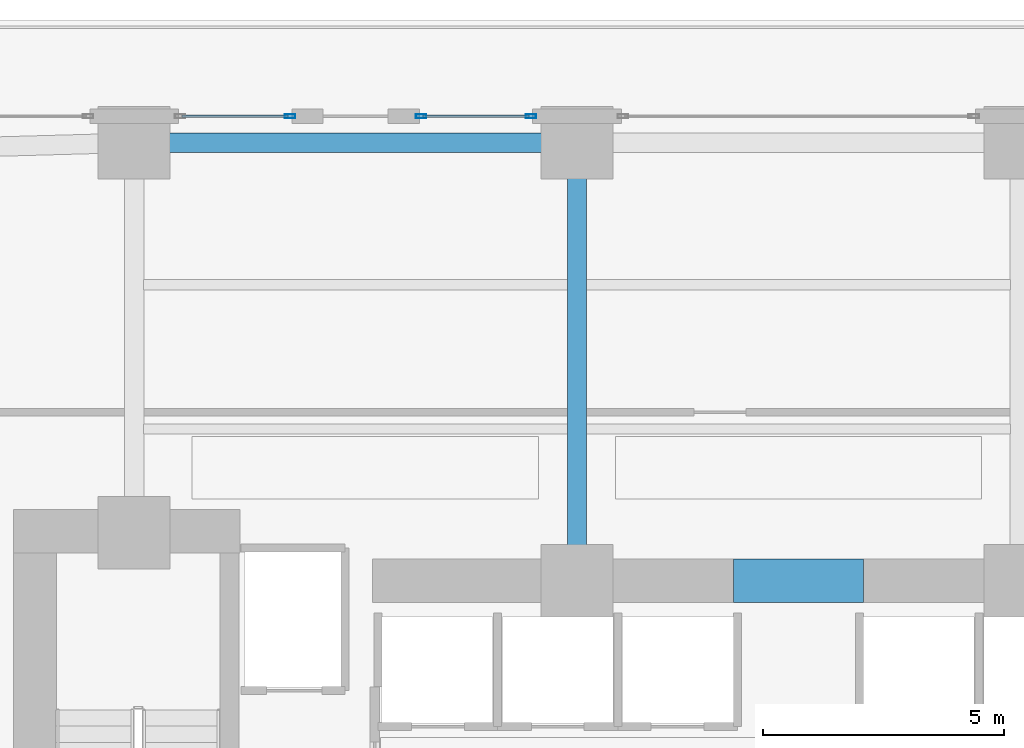
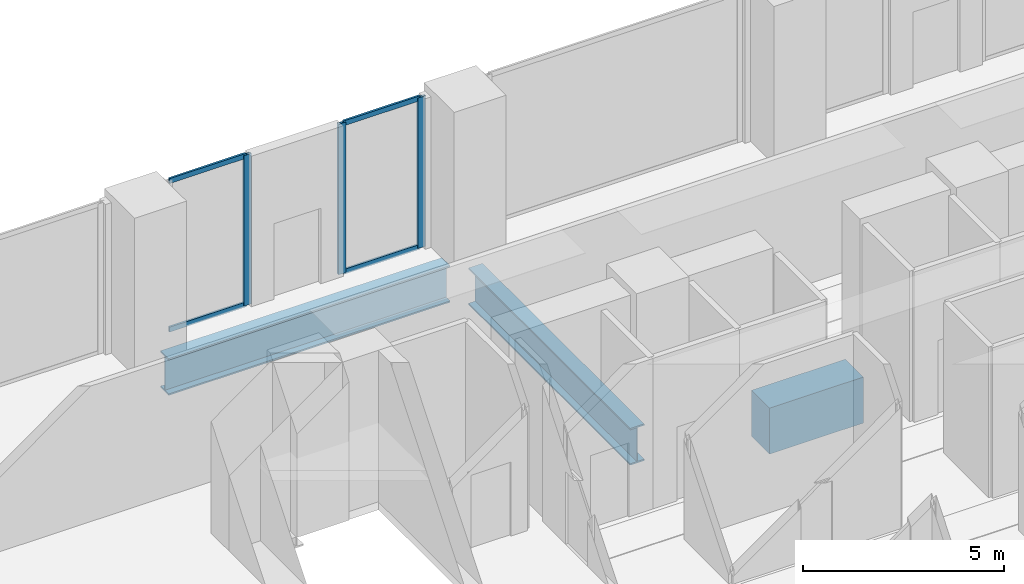
# One storey, part 14 of 28: 7 members, 3 beams, 2 elements without a shape of their own.
"""IFC4 building model written with IfcOpenShell, lengths in metres."""

from ifc_helpers import new_model, si_unit, direction, frame, origin, origin_2d, place, context, subcontext, project, spatial, rectangle, hollow_rectangle, i_section, extrude, material, layer, layer_set, material_profile, profile_set, type_object, element, aggregate, save


model = new_model("IFC4")

# Units and contexts
model_context = context("Model", 3, precision=1e-05, world=origin(), true_north=direction((0.0, 1.0)))
body_context = subcontext(model_context, "Body", "Model", "MODEL_VIEW")
ifc_project = project(units=[si_unit("LENGTHUNIT", "METRE"), si_unit("AREAUNIT", "SQUARE_METRE"), si_unit("VOLUMEUNIT", "CUBIC_METRE"), si_unit("PLANEANGLEUNIT", "RADIAN"), si_unit("MASSUNIT", "GRAM", prefix="KILO")], contexts=[model_context])

# Site, building, storey
site_placement = place(None, origin())
site = spatial("IfcSite", under=ifc_project, at=site_placement, CompositionType="ELEMENT")
building_placement = place(site_placement, origin())
building = spatial("IfcBuilding", under=site, at=building_placement, Name="Zuhayl Quay Hotel", CompositionType="ELEMENT")
storey_placement = place(building_placement, frame((0.0, 0.0, 22.800048828125)))
storey = spatial("IfcBuildingStorey", under=building, at=storey_placement, Name="L04", CompositionType="ELEMENT", Elevation=22.800048828125)

# Beams
ifc_material_1 = material(Name="Concrete C60/75", Category="concrete")
ifc_material_profile_1 = material_profile(ifc_material_1, rectangle(XDim=0.89990234375, YDim=1.39990234375, at=origin_2d()), Name="RC900X1400")
ifc_profile_set_1 = profile_set([ifc_material_profile_1], Name="Concrete C60/75")
beam_type_1 = type_object("IfcBeamType", Name="BM_CB1_RC900", PredefinedType="T_BEAM", material=ifc_profile_set_1)
beam_1_placement = place(storey_placement, frame((-1.35009765625, 13.35009765625, -0.9599609375), z_axis=(1.0, 0.0, 0.0), x_axis=(0.0, 1.0, 0.0)))
element("IfcBeam", 1, at=beam_1_placement, inside=storey, type_object=beam_type_1, Name="L04 Core Coupling Beam North", PredefinedType="T_BEAM", context=body_context, shape_type="SweptSolid", body=[
    extrude(rectangle(XDim=0.89990234375, YDim=1.39990234375, at=origin_2d()), origin(), (0.0, 0.0, 1.0), 2.7001953125),
])
ifc_material_2 = material(Name="Steel ASTM A913 Grade 65", Category="steel")
ifc_material_profile_2 = material_profile(ifc_material_2, i_section(OverallWidth=0.404052734375, OverallDepth=1.117919921875, WebThickness=0.026123046875, FlangeThickness=0.044921875, at=origin_2d()), Name="W44X335")
ifc_profile_set_2 = profile_set([ifc_material_profile_2], Name="Steel ASTM A913 Grade 65")
beam_type_2 = type_object("IfcBeamType", Name="BM_TG1_W44X335", PredefinedType="BEAM", material=ifc_profile_set_2)
beam_2_placement = place(storey_placement, frame((-13.25, 22.449951171875, -0.819091796875), z_axis=(1.0, 0.0, 0.0), x_axis=(0.0, 1.0, 0.0)))
element("IfcBeam", 2, at=beam_2_placement, inside=storey, type_object=beam_type_2, Name="L04 Floor Beam PG_N_L04_2", PredefinedType="BEAM", context=body_context, shape_type="SweptSolid", body=[
    extrude(i_section(OverallWidth=0.404052734375, OverallDepth=1.117919921875, WebThickness=0.026123046875, FlangeThickness=0.044921875, at=origin_2d()), origin(), (0.0, 0.0, 1.0), 8.10009765625),
])
beam_3_placement = place(storey_placement, frame((-4.60009765625, 13.8701171875, -0.819091796875), z_axis=(0.0, 1.0, 0.0), x_axis=(-1.0, 0.0, 0.0)))
element("IfcBeam", 3, at=beam_3_placement, inside=storey, type_object=beam_type_2, Name="L04 Floor Beam PG_NS3_L04_2", PredefinedType="BEAM", context=body_context, shape_type="SweptSolid", body=[
    extrude(i_section(OverallWidth=0.404052734375, OverallDepth=1.117919921875, WebThickness=0.026123046875, FlangeThickness=0.044921875, at=origin_2d()), origin(), (0.0, 0.0, 1.0), 8.059814453125),
])

# Curtain wall, member
ifc_material_3 = material(Name="Anodised Aluminium 6063-T6", Category="aluminium")
ifc_layer = layer(ifc_material_3, 0.199951171875, Name="Anodised Aluminium 6063-T6", Category="aluminium")
ifc_layer_set = layer_set([ifc_layer], Name="Anodised Aluminium 6063-T6")
curtain_wall_type = type_object("IfcCurtainWallType", Name="CW_SYS_POD", PredefinedType="USERDEFINED", material=ifc_layer_set)
curtain_wall_1_placement = place(storey_placement, origin())
curtain_wall_1 = element("IfcCurtainWall", 4, at=curtain_wall_1_placement, inside=storey, type_object=curtain_wall_type, Name="L04 Curtain Wall ENV_L04_E05_CW3", ObjectType="UNITISED CURTAIN WALL", PredefinedType="USERDEFINED")
ifc_material_4 = material(Name="Black-anodised aluminium 6063-T6", Category="aluminium")
ifc_material_profile_3 = material_profile(ifc_material_4, hollow_rectangle(XDim=0.074951171875, YDim=0.219970703125, WallThickness=0.00390625, at=origin_2d()), Name="ALU220X75")
ifc_profile_set_3 = profile_set([ifc_material_profile_3], Name="Black-anodised aluminium 6063-T6")
member_type_1 = type_object("IfcMemberType", Name="MB_CW_MUL_220", PredefinedType="MULLION", material=ifc_profile_set_3)
member_1_placement = place(storey_placement, frame((-10.5625, 23.0, 0.0), z_axis=(0.0, 0.0, 1.0), x_axis=(0.0, 1.0, 0.0)))
member_1 = element("IfcMember", 5, at=member_1_placement, type_object=member_type_1, Name="CW-POD mullion 2", PredefinedType="MULLION", context=body_context, shape_type="SweptSolid", body=[
    extrude(hollow_rectangle(XDim=0.074951171875, YDim=0.219970703125, WallThickness=0.00390625, at=origin_2d()), origin(), (0.0, 0.0, 1.0), 4.579833984375),
])

# Curtain wall, members
curtain_wall_2_placement = place(storey_placement, origin())
curtain_wall_2 = element("IfcCurtainWall", 6, at=curtain_wall_2_placement, inside=storey, type_object=curtain_wall_type, Name="L04 Curtain Wall ENV_L04_E05_CW4", ObjectType="UNITISED CURTAIN WALL", PredefinedType="USERDEFINED")
member_2_placement = place(storey_placement, frame((-7.83740234375, 23.0, 0.0), z_axis=(0.0, 0.0, 1.0), x_axis=(0.0, 1.0, 0.0)))
member_2 = element("IfcMember", 7, at=member_2_placement, type_object=member_type_1, Name="CW-POD mullion 1", PredefinedType="MULLION", context=body_context, shape_type="SweptSolid", body=[
    extrude(hollow_rectangle(XDim=0.074951171875, YDim=0.219970703125, WallThickness=0.00390625, at=origin_2d()), origin(), (0.0, 0.0, 1.0), 4.579833984375),
])
member_3_placement = place(storey_placement, frame((-5.5576171875, 23.0, 0.0), z_axis=(0.0, 0.0, 1.0), x_axis=(0.0, 1.0, 0.0)))
member_3 = element("IfcMember", 8, at=member_3_placement, type_object=member_type_1, Name="CW-POD mullion 2", PredefinedType="MULLION", context=body_context, shape_type="SweptSolid", body=[
    extrude(hollow_rectangle(XDim=0.074951171875, YDim=0.219970703125, WallThickness=0.00390625, at=origin_2d()), origin(), (0.0, 0.0, 1.0), 4.579833984375),
])

# Member
ifc_material_profile_4 = material_profile(ifc_material_4, hollow_rectangle(XDim=0.06005859375, YDim=0.14990234375, WallThickness=0.00341796875, at=origin_2d()), Name="ALU150X60")
ifc_profile_set_4 = profile_set([ifc_material_profile_4], Name="Black-anodised aluminium 6063-T6")
member_type_2 = type_object("IfcMemberType", Name="MB_CW_TRN_150", PredefinedType="USERDEFINED", material=ifc_profile_set_4)
member_4_placement = place(storey_placement, frame((-12.804931640625, 23.0, 0.030029296875), z_axis=(1.0, 0.0, 0.0), x_axis=(0.0, 1.0, 0.0)))
member_4 = element("IfcMember", 9, at=member_4_placement, type_object=member_type_2, Name="CW-POD transom 1.1", ObjectType="TRANSOM", PredefinedType="USERDEFINED", context=body_context, shape_type="SweptSolid", body=[
    extrude(hollow_rectangle(XDim=0.06005859375, YDim=0.14990234375, WallThickness=0.00341796875, at=origin_2d()), origin(), (0.0, 0.0, 1.0), 2.204833984375),
])

member_5_placement = place(storey_placement, frame((-12.804931640625, 23.0, 4.550048828125), z_axis=(1.0, 0.0, 0.0), x_axis=(0.0, 1.0, 0.0)))
member_5 = element("IfcMember", 10, at=member_5_placement, type_object=member_type_2, Name="CW-POD transom 1.2", ObjectType="TRANSOM", PredefinedType="USERDEFINED", context=body_context, shape_type="SweptSolid", body=[
    extrude(hollow_rectangle(XDim=0.06005859375, YDim=0.14990234375, WallThickness=0.00341796875, at=origin_2d()), origin(), (0.0, 0.0, 1.0), 2.204833984375),
])

aggregate(curtain_wall_1, [member_1, member_4, member_5])

member_6_placement = place(storey_placement, frame((-7.800048828125, 23.0, 0.030029296875), z_axis=(1.0, 0.0, 0.0), x_axis=(0.0, 1.0, 0.0)))
member_6 = element("IfcMember", 11, at=member_6_placement, type_object=member_type_2, Name="CW-POD transom 1.1", ObjectType="TRANSOM", PredefinedType="USERDEFINED", context=body_context, shape_type="SweptSolid", body=[
    extrude(hollow_rectangle(XDim=0.06005859375, YDim=0.14990234375, WallThickness=0.00341796875, at=origin_2d()), origin(), (0.0, 0.0, 1.0), 2.205078125),
])

member_7_placement = place(storey_placement, frame((-7.800048828125, 23.0, 4.550048828125), z_axis=(1.0, 0.0, 0.0), x_axis=(0.0, 1.0, 0.0)))
member_7 = element("IfcMember", 12, at=member_7_placement, type_object=member_type_2, Name="CW-POD transom 1.2", ObjectType="TRANSOM", PredefinedType="USERDEFINED", context=body_context, shape_type="SweptSolid", body=[
    extrude(hollow_rectangle(XDim=0.06005859375, YDim=0.14990234375, WallThickness=0.00341796875, at=origin_2d()), origin(), (0.0, 0.0, 1.0), 2.205078125),
])

aggregate(curtain_wall_2, [member_2, member_3, member_6, member_7])

save(model, "model.ifc")
